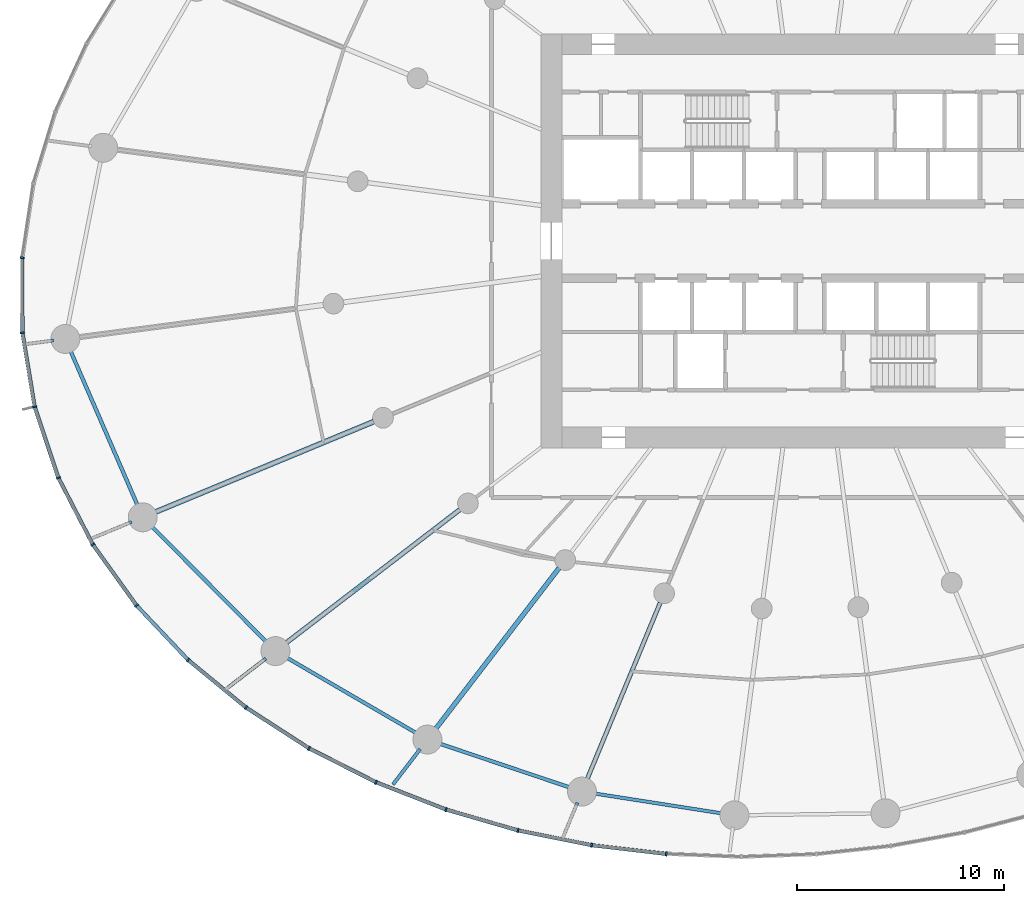
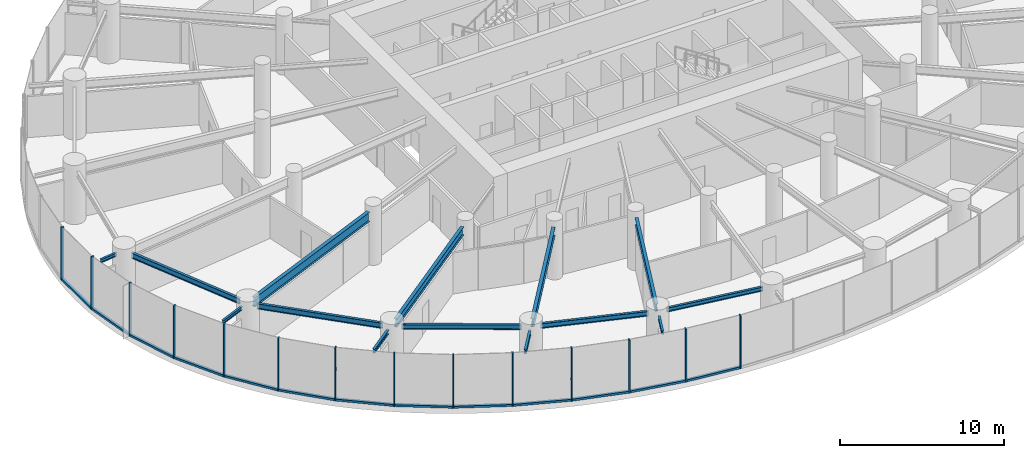
# One storey, part 2 of 19: 27 members, 14 beams, 3 elements without a shape of their own.
"""IFC4 building model written with IfcOpenShell, lengths in metres."""

from ifc_helpers import new_model, si_unit, direction, frame, origin, origin_2d, place, context, subcontext, project, spatial, rectangle, i_section, extrude, source, transform, mapped, material, layer, layer_set, material_profile, profile_set, type_object, element, aggregate, save


model = new_model("IFC4")

# Units and contexts
model_context = context("Model", 3, precision=1e-05, world=origin(), true_north=direction((0.0, 1.0)))
body_context = subcontext(model_context, "Body", "Model", "MODEL_VIEW")
ifc_project = project(units=[si_unit("LENGTHUNIT", "METRE"), si_unit("AREAUNIT", "SQUARE_METRE"), si_unit("VOLUMEUNIT", "CUBIC_METRE"), si_unit("PLANEANGLEUNIT", "RADIAN"), si_unit("MASSUNIT", "GRAM", prefix="KILO")], contexts=[model_context])

# Site, building, storey
site_placement = place(None, origin())
site = spatial("IfcSite", under=ifc_project, at=site_placement, CompositionType="ELEMENT")
building_placement = place(site_placement, origin())
building = spatial("IfcBuilding", under=site, at=building_placement, Name="Spindrift Exchange Tower", CompositionType="ELEMENT")
storey_placement = place(building_placement, frame((0.0, 0.0, 49.0)))
storey = spatial("IfcBuildingStorey", under=building, at=storey_placement, Name="L11", CompositionType="ELEMENT", Elevation=49.0)

# Beams
ifc_material_1 = material(Name="Steel Grade 300", Category="steel")
ifc_material_profile_1 = material_profile(ifc_material_1, i_section(OverallWidth=0.25, OverallDepth=0.699951171875, WebThickness=0.008056640625, FlangeThickness=0.011962890625, at=origin_2d()), Name="700WB115")
ifc_profile_set_1 = profile_set([ifc_material_profile_1], Name="Steel Grade 300")
beam_type_1 = type_object("IfcBeamType", Name="Floor Beam 700WB115 Steel Grade 300", PredefinedType="BEAM", material=ifc_profile_set_1)
shared_shape_1 = source(origin(), body_context, "Body", "SweptSolid", [
    extrude(i_section(OverallWidth=0.25, OverallDepth=0.699951171875, WebThickness=0.008056640625, FlangeThickness=0.011962890625, at=origin_2d()), origin(), (0.0, 0.0, 1.0), 11.505859375),
])
beam_1_placement = place(storey_placement, frame((30.917236328125, 39.26708984375, 3.60009765625), z_axis=(-0.923881578419, -0.38267849307, 0.0), x_axis=(0.38267849307, -0.923881578419, 0.0)))
element("IfcBeam", 1, at=beam_1_placement, inside=storey, type_object=beam_type_1, Name="L11 radial beam R14B", PredefinedType="BEAM", context=body_context, shape_type="MappedRepresentation", body=[
    mapped(shared_shape_1, transform((0.0, 0.0, 0.0), scale=1.0)),
])
ifc_material_profile_2 = material_profile(ifc_material_1, i_section(OverallWidth=0.22802734375, OverallDepth=0.60693359375, WebThickness=0.01123046875, FlangeThickness=0.017333984375, FilletRadius=0.013916015625, at=origin_2d()), Name="610UB113")
ifc_profile_set_2 = profile_set([ifc_material_profile_2], Name="Steel Grade 300")
beam_type_2 = type_object("IfcBeamType", Name="Floor Beam 610UB113 Steel Grade 300", PredefinedType="BEAM", material=ifc_profile_set_2)
shared_shape_2 = source(origin(), body_context, "Body", "SweptSolid", [
    extrude(i_section(OverallWidth=0.22802734375, OverallDepth=0.60693359375, WebThickness=0.01123046875, FlangeThickness=0.017333984375, FilletRadius=0.013916015625, at=origin_2d()), origin(), (0.0, 0.0, 1.0), 10.66357421875),
])
beam_2_placement = place(storey_placement, frame((35.08447265625, 35.020263671875, 3.646484375), z_axis=(-0.793357926757, -0.608755451764, 0.0), x_axis=(0.608755451764, -0.793357926757, 0.0)))
element("IfcBeam", 2, at=beam_2_placement, inside=storey, type_object=beam_type_2, Name="L11 radial beam R15B", PredefinedType="BEAM", context=body_context, shape_type="MappedRepresentation", body=[
    mapped(shared_shape_2, transform((0.0, 0.0, 0.0), scale=1.0)),
])
shared_shape_3 = source(origin(), body_context, "Body", "SweptSolid", [
    extrude(i_section(OverallWidth=0.22802734375, OverallDepth=0.60693359375, WebThickness=0.01123046875, FlangeThickness=0.017333984375, FilletRadius=0.013916015625, at=origin_2d()), origin(), (0.0, 0.0, 1.0), 9.87548828125),
])
beam_3_placement = place(storey_placement, frame((39.872802734375, 32.1953125, 3.646484375), z_axis=(-0.608772470836, -0.793344867477, 0.0), x_axis=(0.793344867477, -0.608772470836, 0.0)))
element("IfcBeam", 3, at=beam_3_placement, inside=storey, type_object=beam_type_2, Name="L11 radial beam R16B", PredefinedType="BEAM", context=body_context, shape_type="MappedRepresentation", body=[
    mapped(shared_shape_3, transform((0.0, 0.0, 0.0), scale=1.0)),
])
ifc_material_profile_3 = material_profile(ifc_material_1, i_section(OverallWidth=0.208984375, OverallDepth=0.532958984375, WebThickness=0.01025390625, FlangeThickness=0.015625, FilletRadius=0.013916015625, at=origin_2d()), Name="530UB92.4")
ifc_profile_set_3 = profile_set([ifc_material_profile_3], Name="Steel Grade 300")
beam_type_3 = type_object("IfcBeamType", Name="Floor Beam 530UB92.4 Steel Grade 300", PredefinedType="BEAM", material=ifc_profile_set_3)
shared_shape_4 = source(origin(), body_context, "Body", "SweptSolid", [
    extrude(i_section(OverallWidth=0.208984375, OverallDepth=0.532958984375, WebThickness=0.01025390625, FlangeThickness=0.015625, FilletRadius=0.013916015625, at=origin_2d()), origin(), (0.0, 0.0, 1.0), 9.309326171875),
])
beam_4_placement = place(storey_placement, frame((44.76171875, 30.525146484375, 3.68359375), z_axis=(-0.382685326691, -0.923878747853, 0.0), x_axis=(0.923878747853, -0.382685326691, 0.0)))
element("IfcBeam", 4, at=beam_4_placement, inside=storey, type_object=beam_type_3, Name="L11 radial beam R17B", PredefinedType="BEAM", context=body_context, shape_type="MappedRepresentation", body=[
    mapped(shared_shape_4, transform((0.0, 0.0, 0.0), scale=1.0)),
])
ifc_material_profile_4 = material_profile(ifc_material_1, i_section(OverallWidth=0.177978515625, OverallDepth=0.406005859375, WebThickness=0.0078125, FlangeThickness=0.0126953125, FilletRadius=0.013916015625, at=origin_2d()), Name="410UB59.7")
ifc_profile_set_4 = profile_set([ifc_material_profile_4], Name="Steel Grade 300")
beam_type_4 = type_object("IfcBeamType", Name="Edge Beam 410UB59.7 Steel Grade 300", PredefinedType="SPANDREL", material=ifc_profile_set_4)
shared_shape_5 = source(origin(), body_context, "Body", "SweptSolid", [
    extrude(i_section(OverallWidth=0.177978515625, OverallDepth=0.406005859375, WebThickness=0.0078125, FlangeThickness=0.0126953125, FilletRadius=0.013916015625, at=origin_2d()), origin(), (0.0, 0.0, 1.0), 8.23681640625),
])
beam_5_placement = place(storey_placement, frame((16.240478515625, 42.729736328125, 3.7470703125), z_axis=(0.398186298756, -0.91730456855, 0.0), x_axis=(0.91730456855, 0.398186298756, 0.0)))
element("IfcBeam", 5, at=beam_5_placement, inside=storey, type_object=beam_type_4, Name="L11 edge beam E13", PredefinedType="SPANDREL", context=body_context, shape_type="MappedRepresentation", body=[
    mapped(shared_shape_5, transform((0.0, 0.0, 0.0), scale=1.0)),
])
shared_shape_6 = source(origin(), body_context, "Body", "SweptSolid", [
    extrude(i_section(OverallWidth=0.177978515625, OverallDepth=0.406005859375, WebThickness=0.0078125, FlangeThickness=0.0126953125, FilletRadius=0.013916015625, at=origin_2d()), origin(), (0.0, 0.0, 1.0), 7.947509765625),
])
beam_6_placement = place(storey_placement, frame((20.159423828125, 34.230224609375, 3.7470703125), z_axis=(0.704197895271, -0.710003749494, 0.0), x_axis=(0.710003749494, 0.704197895271, 0.0)))
element("IfcBeam", 6, at=beam_6_placement, inside=storey, type_object=beam_type_4, Name="L11 edge beam E14", PredefinedType="SPANDREL", context=body_context, shape_type="MappedRepresentation", body=[
    mapped(shared_shape_6, transform((0.0, 0.0, 0.0), scale=1.0)),
])
ifc_material_profile_5 = material_profile(ifc_material_1, i_section(OverallWidth=0.172119140625, OverallDepth=0.35888671875, WebThickness=0.008056640625, FlangeThickness=0.012939453125, FilletRadius=0.013916015625, at=origin_2d()), Name="360UB56.7")
ifc_profile_set_5 = profile_set([ifc_material_profile_5], Name="Steel Grade 300")
beam_type_5 = type_object("IfcBeamType", Name="Edge Beam 360UB56.7 Steel Grade 300", PredefinedType="SPANDREL", material=ifc_profile_set_5)
shared_shape_7 = source(origin(), body_context, "Body", "SweptSolid", [
    extrude(i_section(OverallWidth=0.172119140625, OverallDepth=0.35888671875, WebThickness=0.008056640625, FlangeThickness=0.012939453125, FilletRadius=0.013916015625, at=origin_2d()), origin(), (0.0, 0.0, 1.0), 7.33740234375),
])
beam_7_placement = place(storey_placement, frame((26.66552734375, 27.8837890625, 3.7705078125), z_axis=(0.864211826308, -0.503128134047, 0.0), x_axis=(0.503128134047, 0.864211826308, 0.0)))
element("IfcBeam", 7, at=beam_7_placement, inside=storey, type_object=beam_type_5, Name="L11 edge beam E15", PredefinedType="SPANDREL", context=body_context, shape_type="MappedRepresentation", body=[
    mapped(shared_shape_7, transform((0.0, 0.0, 0.0), scale=1.0)),
])
shared_shape_8 = source(origin(), body_context, "Body", "SweptSolid", [
    extrude(i_section(OverallWidth=0.172119140625, OverallDepth=0.35888671875, WebThickness=0.008056640625, FlangeThickness=0.012939453125, FilletRadius=0.013916015625, at=origin_2d()), origin(), (0.0, 0.0, 1.0), 6.72021484375),
])
beam_8_placement = place(storey_placement, frame((34.0576171875, 23.71533203125, 3.7705078125), z_axis=(0.947851749681, -0.318711563372, 0.0), x_axis=(0.318711563372, 0.947851749681, 0.0)))
element("IfcBeam", 8, at=beam_8_placement, inside=storey, type_object=beam_type_5, Name="L11 edge beam E16", PredefinedType="SPANDREL", context=body_context, shape_type="MappedRepresentation", body=[
    mapped(shared_shape_8, transform((0.0, 0.0, 0.0), scale=1.0)),
])
ifc_material_profile_6 = material_profile(ifc_material_1, i_section(OverallWidth=0.1650390625, OverallDepth=0.303955078125, WebThickness=0.006103515625, FlangeThickness=0.01025390625, FilletRadius=0.011474609375, at=origin_2d()), Name="310UB40.4")
ifc_profile_set_6 = profile_set([ifc_material_profile_6], Name="Steel Grade 300")
beam_type_6 = type_object("IfcBeamType", Name="Edge Beam 310UB40.4 Steel Grade 300", PredefinedType="SPANDREL", material=ifc_profile_set_6)
shared_shape_9 = source(origin(), body_context, "Body", "SweptSolid", [
    extrude(i_section(OverallWidth=0.1650390625, OverallDepth=0.303955078125, WebThickness=0.006103515625, FlangeThickness=0.01025390625, FilletRadius=0.011474609375, at=origin_2d()), origin(), (0.0, 0.0, 1.0), 6.297119140625),
])
beam_9_placement = place(storey_placement, frame((41.55029296875, 21.29931640625, 3.798095703125), z_axis=(0.98802902915, -0.154268070436, 0.0), x_axis=(0.154268070436, 0.98802902915, 0.0)))
element("IfcBeam", 9, at=beam_9_placement, inside=storey, type_object=beam_type_6, Name="L11 edge beam E17", PredefinedType="SPANDREL", context=body_context, shape_type="MappedRepresentation", body=[
    mapped(shared_shape_9, transform((0.0, 0.0, 0.0), scale=1.0)),
])
ifc_material_profile_7 = material_profile(ifc_material_1, i_section(OverallWidth=0.14599609375, OverallDepth=0.251953125, WebThickness=0.006103515625, FlangeThickness=0.008544921875, FilletRadius=0.011962890625, at=origin_2d()), Name="250UB31.4")
ifc_profile_set_7 = profile_set([ifc_material_profile_7], Name="Steel Grade 300")
beam_type_7 = type_object("IfcBeamType", Name="Cantilever Beam 250UB31.4 Steel Grade 300", PredefinedType="BEAM", material=ifc_profile_set_7)
shared_shape_10 = source(origin(), body_context, "Body", "SweptSolid", [
    extrude(i_section(OverallWidth=0.14599609375, OverallDepth=0.251953125, WebThickness=0.006103515625, FlangeThickness=0.008544921875, FilletRadius=0.011962890625, at=origin_2d()), origin(), (0.0, 0.0, 1.0), 1.224365234375),
])
beam_10_placement = place(storey_placement, frame((15.4345703125, 43.18603515625, 3.823974609375), z_axis=(-0.991459724463, -0.130413246138, 0.0), x_axis=(0.130413246138, -0.991459724463, 0.0)))
element("IfcBeam", 10, at=beam_10_placement, inside=storey, type_object=beam_type_7, Name="L11 cantilever beam R13T", PredefinedType="BEAM", context=body_context, shape_type="MappedRepresentation", body=[
    mapped(shared_shape_10, transform((0.0, 0.0, 0.0), scale=1.0)),
])
shared_shape_11 = source(origin(), body_context, "Body", "SweptSolid", [
    extrude(i_section(OverallWidth=0.14599609375, OverallDepth=0.251953125, WebThickness=0.006103515625, FlangeThickness=0.008544921875, FilletRadius=0.011962890625, at=origin_2d()), origin(), (0.0, 0.0, 1.0), 1.96728515625),
])
beam_11_placement = place(storey_placement, frame((19.21533203125, 34.420166015625, 3.823974609375), z_axis=(-0.923871633856, -0.382702500848, 0.0), x_axis=(0.382702500848, -0.923871633856, 0.0)))
element("IfcBeam", 11, at=beam_11_placement, inside=storey, type_object=beam_type_7, Name="L11 cantilever beam R14T", PredefinedType="BEAM", context=body_context, shape_type="MappedRepresentation", body=[
    mapped(shared_shape_11, transform((0.0, 0.0, 0.0), scale=1.0)),
])
ifc_material_profile_8 = material_profile(ifc_material_1, i_section(OverallWidth=0.1650390625, OverallDepth=0.303955078125, WebThickness=0.006103515625, FlangeThickness=0.01025390625, FilletRadius=0.011474609375, at=origin_2d()), Name="310UB40.4")
ifc_profile_set_8 = profile_set([ifc_material_profile_8], Name="Steel Grade 300")
beam_type_8 = type_object("IfcBeamType", Name="Cantilever Beam 310UB40.4 Steel Grade 300", PredefinedType="BEAM", material=ifc_profile_set_8)
shared_shape_12 = source(origin(), body_context, "Body", "SweptSolid", [
    extrude(i_section(OverallWidth=0.1650390625, OverallDepth=0.303955078125, WebThickness=0.006103515625, FlangeThickness=0.01025390625, FilletRadius=0.011474609375, at=origin_2d()), origin(), (0.0, 0.0, 1.0), 2.33251953125),
])
beam_12_placement = place(storey_placement, frame((25.704345703125, 27.822509765625, 3.798095703125), z_axis=(-0.793370454613, -0.608739124542, 0.0), x_axis=(0.608739124542, -0.793370454613, 0.0)))
element("IfcBeam", 12, at=beam_12_placement, inside=storey, type_object=beam_type_8, Name="L11 cantilever beam R15T", PredefinedType="BEAM", context=body_context, shape_type="MappedRepresentation", body=[
    mapped(shared_shape_12, transform((0.0, 0.0, 0.0), scale=1.0)),
])
shared_shape_13 = source(origin(), body_context, "Body", "SweptSolid", [
    extrude(i_section(OverallWidth=0.1650390625, OverallDepth=0.303955078125, WebThickness=0.006103515625, FlangeThickness=0.01025390625, FilletRadius=0.011474609375, at=origin_2d()), origin(), (0.0, 0.0, 1.0), 2.16064453125),
])
beam_13_placement = place(storey_placement, frame((33.154541015625, 23.440185546875, 3.798095703125), z_axis=(-0.60873278131, -0.793375321622, 0.0), x_axis=(0.793375321622, -0.60873278131, 0.0)))
element("IfcBeam", 13, at=beam_13_placement, inside=storey, type_object=beam_type_8, Name="L11 cantilever beam R16T", PredefinedType="BEAM", context=body_context, shape_type="MappedRepresentation", body=[
    mapped(shared_shape_13, transform((0.0, 0.0, 0.0), scale=1.0)),
])
shared_shape_14 = source(origin(), body_context, "Body", "SweptSolid", [
    extrude(i_section(OverallWidth=0.14599609375, OverallDepth=0.251953125, WebThickness=0.006103515625, FlangeThickness=0.008544921875, FilletRadius=0.011962890625, at=origin_2d()), origin(), (0.0, 0.0, 1.0), 1.72216796875),
])
beam_14_placement = place(storey_placement, frame((40.755126953125, 20.852783203125, 3.823974609375), z_axis=(-0.382631424892, -0.923901072997, 0.0), x_axis=(0.923901072997, -0.382631424892, 0.0)))
element("IfcBeam", 14, at=beam_14_placement, inside=storey, type_object=beam_type_7, Name="L11 cantilever beam R17T", PredefinedType="BEAM", context=body_context, shape_type="MappedRepresentation", body=[
    mapped(shared_shape_14, transform((0.0, 0.0, 0.0), scale=1.0)),
])

# Curtain wall, members
ifc_material_2 = material(Name="Fritted laminated glass with bronze frame", Category="glass")
ifc_layer = layer(ifc_material_2, 0.199951171875)
ifc_layer_set = layer_set([ifc_layer], Name="ZONE 1 BRONZE FRITTED WALL")
curtain_wall_type = type_object("IfcCurtainWallType", Name="ZONE 1 BRONZE FRITTED WALL", PredefinedType="NOTDEFINED", material=ifc_layer_set)
curtain_wall_1_placement = place(storey_placement, origin())
curtain_wall_1 = element("IfcCurtainWall", 15, at=curtain_wall_1_placement, inside=storey, type_object=curtain_wall_type, Name="L11 Zone 1 Bronze Fritted Wall run 5", PredefinedType="NOTDEFINED")
ifc_material_3 = material(Name="Bronze anodised aluminium", Category="aluminium")
ifc_material_profile_9 = material_profile(ifc_material_3, rectangle(XDim=0.080078125, YDim=0.199951171875, at=origin_2d()), Name="ZONE 1 BRONZE FRITTED WALL MULLION 80X200")
ifc_profile_set_9 = profile_set([ifc_material_profile_9], Name="Bronze anodised aluminium")
member_type_1 = type_object("IfcMemberType", Name="ZONE 1 BRONZE FRITTED WALL MULLION 80X200", PredefinedType="MULLION", material=ifc_profile_set_9)
shared_shape_15 = source(origin(), body_context, "Body", "SweptSolid", [
    extrude(rectangle(XDim=0.080078125, YDim=0.199951171875, at=origin_2d()), origin(), (0.0, 0.0, 1.0), 3.949951171875),
])
member_1_placement = place(storey_placement, frame((13.921142578125, 47.184814453125, 0.0), z_axis=(0.0, 0.0, 1.0), x_axis=(-0.072480952899, -0.997369796749, 0.0)))
member_1 = element("IfcMember", 16, at=member_1_placement, type_object=member_type_1, Name="L11 mullion CW-1.29", PredefinedType="MULLION", context=body_context, shape_type="MappedRepresentation", body=[
    mapped(shared_shape_15, transform((0.0, 0.0, 0.0), scale=1.0)),
])
member_2_placement = place(storey_placement, frame((13.9375, 43.560302734375, 0.0), z_axis=(0.0, 0.0, 1.0), x_axis=(0.083892290539, -0.996474828377, 0.0)))
member_2 = element("IfcMember", 17, at=member_2_placement, type_object=member_type_1, Name="L11 mullion CW-1.30", PredefinedType="MULLION", context=body_context, shape_type="MappedRepresentation", body=[
    mapped(shared_shape_15, transform((0.0, 0.0, 0.0), scale=1.0)),
])

curtain_wall_2_placement = place(storey_placement, origin())
curtain_wall_2 = element("IfcCurtainWall", 18, at=curtain_wall_2_placement, inside=storey, type_object=curtain_wall_type, Name="L11 Zone 1 Bronze Fritted Wall run 6", PredefinedType="NOTDEFINED")
member_3_placement = place(storey_placement, frame((14.52734375, 39.984375, 0.0), z_axis=(0.0, 0.0, 1.0), x_axis=(0.240475955306, -0.970655095757, 0.0)))
member_3 = element("IfcMember", 19, at=member_3_placement, type_object=member_type_1, Name="L11 mullion CW-1.31", PredefinedType="MULLION", context=body_context, shape_type="MappedRepresentation", body=[
    mapped(shared_shape_15, transform((0.0, 0.0, 0.0), scale=1.0)),
])
member_4_placement = place(storey_placement, frame((15.67529296875, 36.54638671875, 0.0), z_axis=(0.0, 0.0, 1.0), x_axis=(0.388859443789, -0.921297092678, 0.0)))
member_4 = element("IfcMember", 20, at=member_4_placement, type_object=member_type_1, Name="L11 mullion CW-1.32", PredefinedType="MULLION", context=body_context, shape_type="MappedRepresentation", body=[
    mapped(shared_shape_15, transform((0.0, 0.0, 0.0), scale=1.0)),
])
member_5_placement = place(storey_placement, frame((17.337890625, 33.325439453125, 0.0), z_axis=(0.0, 0.0, 1.0), x_axis=(0.522232692088, -0.852803034302, 0.0)))
member_5 = element("IfcMember", 21, at=member_5_placement, type_object=member_type_1, Name="L11 mullion CW-1.33", PredefinedType="MULLION", context=body_context, shape_type="MappedRepresentation", body=[
    mapped(shared_shape_15, transform((0.0, 0.0, 0.0), scale=1.0)),
])
member_6_placement = place(storey_placement, frame((19.451416015625, 30.380126953125, 0.0), z_axis=(0.0, 0.0, 1.0), x_axis=(0.636708052384, -0.771104957855, 0.0)))
member_6 = element("IfcMember", 22, at=member_6_placement, type_object=member_type_1, Name="L11 mullion CW-1.34", PredefinedType="MULLION", context=body_context, shape_type="MappedRepresentation", body=[
    mapped(shared_shape_15, transform((0.0, 0.0, 0.0), scale=1.0)),
])
member_7_placement = place(storey_placement, frame((21.944091796875, 27.7470703125, 0.0), z_axis=(0.0, 0.0, 1.0), x_axis=(0.731397462387, -0.681951429366, 0.0)))
member_7 = element("IfcMember", 23, at=member_7_placement, type_object=member_type_1, Name="L11 mullion CW-1.35", PredefinedType="MULLION", context=body_context, shape_type="MappedRepresentation", body=[
    mapped(shared_shape_15, transform((0.0, 0.0, 0.0), scale=1.0)),
])
member_8_placement = place(storey_placement, frame((24.7451171875, 25.4443359375, 0.0), z_axis=(0.0, 0.0, 1.0), x_axis=(0.807464713989, -0.589915871682, 0.0)))
member_8 = element("IfcMember", 24, at=member_8_placement, type_object=member_type_1, Name="L11 mullion CW-1.36", PredefinedType="MULLION", context=body_context, shape_type="MappedRepresentation", body=[
    mapped(shared_shape_15, transform((0.0, 0.0, 0.0), scale=1.0)),
])

curtain_wall_3_placement = place(storey_placement, origin())
curtain_wall_3 = element("IfcCurtainWall", 25, at=curtain_wall_3_placement, inside=storey, type_object=curtain_wall_type, Name="L11 Zone 1 Bronze Fritted Wall run 7", PredefinedType="NOTDEFINED")
member_9_placement = place(storey_placement, frame((27.79052734375, 23.475830078125, 0.0), z_axis=(0.0, 0.0, 1.0), x_axis=(0.867125763262, -0.498089259758, 0.0)))
member_9 = element("IfcMember", 26, at=member_9_placement, type_object=member_type_1, Name="L11 mullion CW-1.37", PredefinedType="MULLION", context=body_context, shape_type="MappedRepresentation", body=[
    mapped(shared_shape_15, transform((0.0, 0.0, 0.0), scale=1.0)),
])
member_10_placement = place(storey_placement, frame((31.025634765625, 21.836669921875, 0.0), z_axis=(0.0, 0.0, 1.0), x_axis=(0.912876977132, -0.408234766553, 0.0)))
member_10 = element("IfcMember", 27, at=member_10_placement, type_object=member_type_1, Name="L11 mullion CW-1.38", PredefinedType="MULLION", context=body_context, shape_type="MappedRepresentation", body=[
    mapped(shared_shape_15, transform((0.0, 0.0, 0.0), scale=1.0)),
])
member_11_placement = place(storey_placement, frame((34.404296875, 20.51806640625, 0.0), z_axis=(0.0, 0.0, 1.0), x_axis=(0.947006918205, -0.321213164225, 0.0)))
member_11 = element("IfcMember", 28, at=member_11_placement, type_object=member_type_1, Name="L11 mullion CW-1.39", PredefinedType="MULLION", context=body_context, shape_type="MappedRepresentation", body=[
    mapped(shared_shape_15, transform((0.0, 0.0, 0.0), scale=1.0)),
])
member_12_placement = place(storey_placement, frame((37.88818359375, 19.509033203125, 0.0), z_axis=(0.0, 0.0, 1.0), x_axis=(0.971435870018, -0.237302234383, 0.0)))
member_12 = element("IfcMember", 29, at=member_12_placement, type_object=member_type_1, Name="L11 mullion CW-1.40", PredefinedType="MULLION", context=body_context, shape_type="MappedRepresentation", body=[
    mapped(shared_shape_15, transform((0.0, 0.0, 0.0), scale=1.0)),
])
member_13_placement = place(storey_placement, frame((41.445068359375, 18.798095703125, 0.0), z_axis=(0.0, 0.0, 1.0), x_axis=(0.98769750564, -0.156376588246, 0.0)))
member_13 = element("IfcMember", 30, at=member_13_placement, type_object=member_type_1, Name="L11 mullion CW-1.41", PredefinedType="MULLION", context=body_context, shape_type="MappedRepresentation", body=[
    mapped(shared_shape_15, transform((0.0, 0.0, 0.0), scale=1.0)),
])
member_14_placement = place(storey_placement, frame((45.047607421875, 18.37548828125, 0.0), z_axis=(0.0, 0.0, 1.0), x_axis=(0.996944076484, -0.078118553266, 0.0)))
member_14 = element("IfcMember", 31, at=member_14_placement, type_object=member_type_1, Name="L11 mullion CW-1.42", PredefinedType="MULLION", context=body_context, shape_type="MappedRepresentation", body=[
    mapped(shared_shape_15, transform((0.0, 0.0, 0.0), scale=1.0)),
])

# Member
ifc_material_profile_10 = material_profile(ifc_material_3, rectangle(XDim=0.179931640625, YDim=0.14990234375, at=origin_2d()), Name="ZONE 1 BRONZE FRITTED WALL TRANSOM 180X150")
ifc_profile_set_10 = profile_set([ifc_material_profile_10], Name="Bronze anodised aluminium")
member_type_2 = type_object("IfcMemberType", Name="ZONE 1 BRONZE FRITTED WALL TRANSOM 180X150", PredefinedType="USERDEFINED", material=ifc_profile_set_10)
shared_shape_16 = source(origin(), body_context, "Body", "SweptSolid", [
    extrude(rectangle(XDim=0.179931640625, YDim=0.14990234375, at=origin_2d()), origin(), (0.0, 0.0, 1.0), 3.54443359375),
])
member_15_placement = place(storey_placement, frame((13.92138671875, 47.144775390625, 0.074951171875), z_axis=(0.004546033752, -0.999989666735, 0.0), x_axis=(0.999989666735, 0.004546033752, 0.0)))
member_15 = element("IfcMember", 32, at=member_15_placement, type_object=member_type_2, Name="L11 transom CW-1.29", ObjectType="TRANSOM", PredefinedType="USERDEFINED", context=body_context, shape_type="MappedRepresentation", body=[
    mapped(shared_shape_16, transform((0.0, 0.0, 0.0), scale=1.0)),
])

member_16_placement = place(storey_placement, frame((13.944091796875, 43.52099609375, 0.074951171875), z_axis=(0.162689821704, -0.9866772633, 0.0), x_axis=(0.9866772633, 0.162689821704, 0.0)))
member_16 = element("IfcMember", 33, at=member_16_placement, type_object=member_type_2, Name="L11 transom CW-1.30", ObjectType="TRANSOM", PredefinedType="USERDEFINED", context=body_context, shape_type="MappedRepresentation", body=[
    mapped(shared_shape_16, transform((0.0, 0.0, 0.0), scale=1.0)),
])

aggregate(curtain_wall_1, [member_1, member_15, member_2, member_16])

member_17_placement = place(storey_placement, frame((14.5400390625, 39.9462890625, 0.074951171875), z_axis=(0.316702987451, -0.948524758633, 0.0), x_axis=(0.948524758633, 0.316702987451, 0.0)))
member_17 = element("IfcMember", 34, at=member_17_placement, type_object=member_type_2, Name="L11 transom CW-1.31", ObjectType="TRANSOM", PredefinedType="USERDEFINED", context=body_context, shape_type="MappedRepresentation", body=[
    mapped(shared_shape_16, transform((0.0, 0.0, 0.0), scale=1.0)),
])

shared_shape_17 = source(origin(), body_context, "Body", "SweptSolid", [
    extrude(rectangle(XDim=0.179931640625, YDim=0.14990234375, at=origin_2d()), origin(), (0.0, 0.0, 1.0), 3.544921875),
])
member_18_placement = place(storey_placement, frame((15.693603515625, 36.5107421875, 0.074951171875), z_axis=(0.458692041079, -0.888595302402, 0.0), x_axis=(0.888595302402, 0.458692041079, 0.0)))
member_18 = element("IfcMember", 35, at=member_18_placement, type_object=member_type_2, Name="L11 transom CW-1.32", ObjectType="TRANSOM", PredefinedType="USERDEFINED", context=body_context, shape_type="MappedRepresentation", body=[
    mapped(shared_shape_17, transform((0.0, 0.0, 0.0), scale=1.0)),
])

shared_shape_18 = source(origin(), body_context, "Body", "SweptSolid", [
    extrude(rectangle(XDim=0.179931640625, YDim=0.14990234375, at=origin_2d()), origin(), (0.0, 0.0, 1.0), 3.545654296875),
])
member_19_placement = place(storey_placement, frame((19.47900390625, 30.35107421875, 0.074951171875), z_axis=(0.687458113271, -0.726224030516, 0.0), x_axis=(0.726224030516, 0.687458113271, 0.0)))
member_19 = element("IfcMember", 36, at=member_19_placement, type_object=member_type_2, Name="L11 transom CW-1.34", ObjectType="TRANSOM", PredefinedType="USERDEFINED", context=body_context, shape_type="MappedRepresentation", body=[
    mapped(shared_shape_18, transform((0.0, 0.0, 0.0), scale=1.0)),
])

shared_shape_19 = source(origin(), body_context, "Body", "SweptSolid", [
    extrude(rectangle(XDim=0.179931640625, YDim=0.14990234375, at=origin_2d()), origin(), (0.0, 0.0, 1.0), 3.546142578125),
])
member_20_placement = place(storey_placement, frame((21.974853515625, 27.7216796875, 0.074951171875), z_axis=(0.772470516978, -0.635050628218, 0.0), x_axis=(0.635050628218, 0.772470516978, 0.0)))
member_20 = element("IfcMember", 37, at=member_20_placement, type_object=member_type_2, Name="L11 transom CW-1.35", ObjectType="TRANSOM", PredefinedType="USERDEFINED", context=body_context, shape_type="MappedRepresentation", body=[
    mapped(shared_shape_19, transform((0.0, 0.0, 0.0), scale=1.0)),
])

member_21_placement = place(storey_placement, frame((24.778564453125, 25.422607421875, 0.074951171875), z_axis=(0.839836032001, -0.54284016004, 0.0), x_axis=(0.54284016004, 0.839836032001, 0.0)))
member_21 = element("IfcMember", 38, at=member_21_placement, type_object=member_type_2, Name="L11 transom CW-1.36", ObjectType="TRANSOM", PredefinedType="USERDEFINED", context=body_context, shape_type="MappedRepresentation", body=[
    mapped(shared_shape_19, transform((0.0, 0.0, 0.0), scale=1.0)),
])

shared_shape_20 = source(origin(), body_context, "Body", "SweptSolid", [
    extrude(rectangle(XDim=0.179931640625, YDim=0.14990234375, at=origin_2d()), origin(), (0.0, 0.0, 1.0), 3.546875),
])
member_22_placement = place(storey_placement, frame((31.06298828125, 21.822265625, 0.074951171875), z_axis=(0.931567384985, -0.363568710469, 0.0), x_axis=(0.363568710469, 0.931567384985, 0.0)))
member_22 = element("IfcMember", 39, at=member_22_placement, type_object=member_type_2, Name="L11 transom CW-1.38", ObjectType="TRANSOM", PredefinedType="USERDEFINED", context=body_context, shape_type="MappedRepresentation", body=[
    mapped(shared_shape_20, transform((0.0, 0.0, 0.0), scale=1.0)),
])

shared_shape_21 = source(origin(), body_context, "Body", "SweptSolid", [
    extrude(rectangle(XDim=0.179931640625, YDim=0.14990234375, at=origin_2d()), origin(), (0.0, 0.0, 1.0), 3.54736328125),
])
member_23_placement = place(storey_placement, frame((41.48486328125, 18.79345703125, 0.074951171875), z_axis=(0.99318860411, -0.116517795493, 0.0), x_axis=(0.116517795493, 0.99318860411, 0.0)))
member_23 = element("IfcMember", 40, at=member_23_placement, type_object=member_type_2, Name="L11 transom CW-1.41", ObjectType="TRANSOM", PredefinedType="USERDEFINED", context=body_context, shape_type="MappedRepresentation", body=[
    mapped(shared_shape_21, transform((0.0, 0.0, 0.0), scale=1.0)),
])

shared_shape_22 = source(origin(), body_context, "Body", "SweptSolid", [
    extrude(rectangle(XDim=0.179931640625, YDim=0.14990234375, at=origin_2d()), origin(), (0.0, 0.0, 1.0), 3.547119140625),
])
member_24_placement = place(storey_placement, frame((34.44287109375, 20.507080078125, 0.074951171875), z_axis=(0.960501832775, -0.278273658897, 0.0), x_axis=(0.278273658897, 0.960501832775, 0.0)))
member_24 = element("IfcMember", 41, at=member_24_placement, type_object=member_type_2, Name="L11 transom CW-1.39", ObjectType="TRANSOM", PredefinedType="USERDEFINED", context=body_context, shape_type="MappedRepresentation", body=[
    mapped(shared_shape_22, transform((0.0, 0.0, 0.0), scale=1.0)),
])

member_25_placement = place(storey_placement, frame((37.927490234375, 19.501220703125, 0.074951171875), z_axis=(0.980612430241, -0.195957295493, 0.0), x_axis=(0.195957295493, 0.980612430241, 0.0)))
member_25 = element("IfcMember", 42, at=member_25_placement, type_object=member_type_2, Name="L11 transom CW-1.40", ObjectType="TRANSOM", PredefinedType="USERDEFINED", context=body_context, shape_type="MappedRepresentation", body=[
    mapped(shared_shape_22, transform((0.0, 0.0, 0.0), scale=1.0)),
])

shared_shape_23 = source(origin(), body_context, "Body", "SweptSolid", [
    extrude(rectangle(XDim=0.179931640625, YDim=0.14990234375, at=origin_2d()), origin(), (0.0, 0.0, 1.0), 3.545166015625),
])
member_26_placement = place(storey_placement, frame((17.361328125, 33.29296875, 0.074951171875), z_axis=(0.582963225934, -0.812498539819, 0.0), x_axis=(0.812498539819, 0.582963225934, 0.0)))
member_26 = element("IfcMember", 43, at=member_26_placement, type_object=member_type_2, Name="L11 transom CW-1.33", ObjectType="TRANSOM", PredefinedType="USERDEFINED", context=body_context, shape_type="MappedRepresentation", body=[
    mapped(shared_shape_23, transform((0.0, 0.0, 0.0), scale=1.0)),
])

aggregate(curtain_wall_2, [member_3, member_17, member_4, member_18, member_5, member_26, member_6, member_19, member_7, member_20, member_8, member_21])

shared_shape_24 = source(origin(), body_context, "Body", "SweptSolid", [
    extrude(rectangle(XDim=0.179931640625, YDim=0.14990234375, at=origin_2d()), origin(), (0.0, 0.0, 1.0), 3.546630859375),
])
member_27_placement = place(storey_placement, frame((27.826171875, 23.457763671875, 0.074951171875), z_axis=(0.892032815785, -0.451970635731, 0.0), x_axis=(0.451970635731, 0.892032815785, 0.0)))
member_27 = element("IfcMember", 44, at=member_27_placement, type_object=member_type_2, Name="L11 transom CW-1.37", ObjectType="TRANSOM", PredefinedType="USERDEFINED", context=body_context, shape_type="MappedRepresentation", body=[
    mapped(shared_shape_24, transform((0.0, 0.0, 0.0), scale=1.0)),
])

aggregate(curtain_wall_3, [member_9, member_27, member_10, member_22, member_11, member_24, member_12, member_25, member_13, member_23, member_14])

save(model, "model.ifc")
